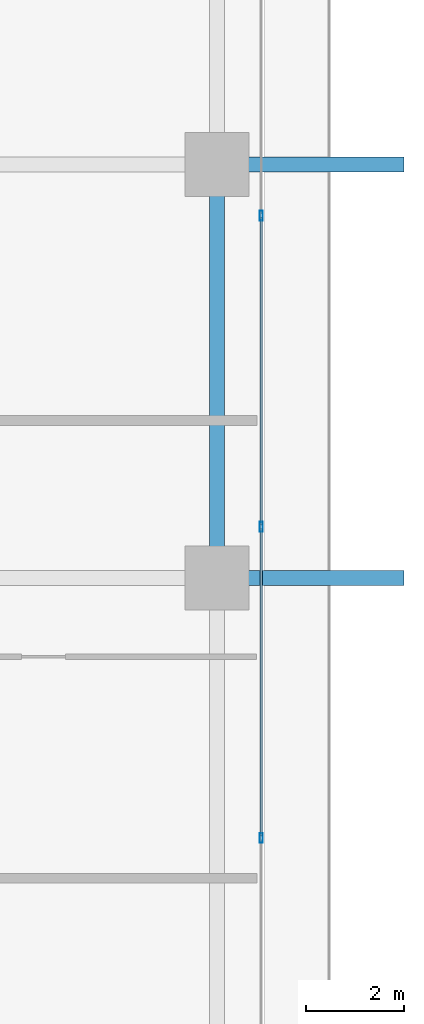
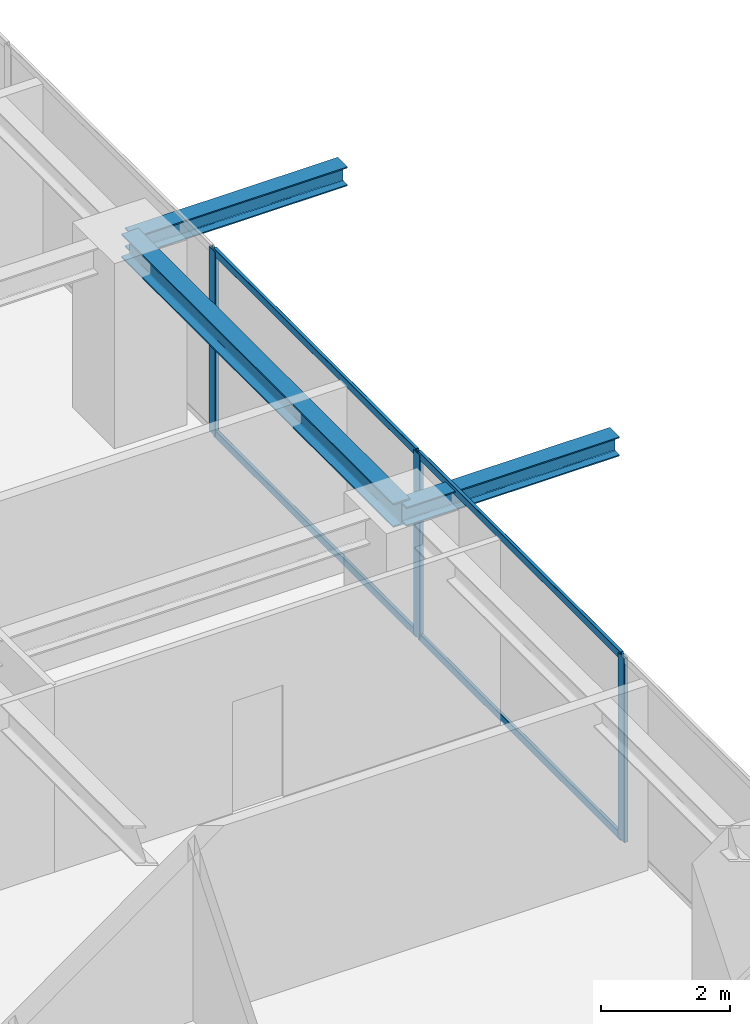
# One storey, part 14 of 35: 7 members, 3 beams, 1 element without a shape of its own.
"""IFC4 building model written with IfcOpenShell, lengths in metres."""

import ifcopenshell
import ifcopenshell.guid

model = None  # the IFC model being written
_history = None  # IfcOwnerHistory: only IFC2X3 demands one
_inside = {}  # id of a spatial element -> (the spatial element, [elements in it])
_under = {}  # id of a project, library or spatial element -> (it, [spatial elements below it])
_declared = {}  # id of a project -> (the project, [libraries it declares])
_typed = {}  # id of a type object -> (the type object, [elements of that type])
_made_of = {}  # id of a material, layer set ... -> (it, [elements and type objects made of it])


def new_model(schema):
    """Start an empty IFC model of exactly this schema.

    Asked for "IFC4X3", IfcOpenShell would pick the latest addendum, in which some entities
    have other attributes; the version numbers below select the first issue.
    IFC2X3 requires an IfcOwnerHistory on every rooted entity: one is made here for all.
    """
    global model, _history
    if schema == "IFC4X3":
        model = ifcopenshell.file(schema_version=(4, 3, 0, 0))
    else:
        model = ifcopenshell.file(schema=schema)
    _inside.clear()
    _under.clear()
    _declared.clear()
    _typed.clear()
    _made_of.clear()
    _history = None
    if model.schema == "IFC2X3":
        org = make("IfcOrganization", Name="unknown")
        user = make(
            "IfcPersonAndOrganization",
            ThePerson=make("IfcPerson", FamilyName="unknown"),
            TheOrganization=org,
        )
        app = make(
            "IfcApplication",
            ApplicationDeveloper=org,
            Version="unknown",
            ApplicationFullName="unknown",
            ApplicationIdentifier="unknown",
        )
        _history = make(
            "IfcOwnerHistory",
            OwningUser=user,
            OwningApplication=app,
            ChangeAction="ADDED",
            CreationDate=0,
        )
    return model


def make(cls, **values):
    """One entity of the class cls with the attributes given. An attribute that is None is left unset."""
    return model.create_entity(
        cls, **{name: value for name, value in values.items() if value is not None}
    )


def rooted(cls, **values):
    """An entity with a GlobalId (a new one), such as an element, a storey or a relation."""
    return make(cls, GlobalId=ifcopenshell.guid.new(), OwnerHistory=_history, **values)


def si_unit(unit_type, name, prefix=None):
    """IfcSIUnit, for example si_unit("LENGTHUNIT", "METRE", prefix="MILLI")."""
    return make("IfcSIUnit", UnitType=unit_type, Prefix=prefix, Name=name)


def assignment(units):
    """IfcUnitAssignment: the units of a project."""
    return None if units is None else make("IfcUnitAssignment", Units=units)


def point(xyz):
    """IfcCartesianPoint."""
    return None if xyz is None else make("IfcCartesianPoint", Coordinates=xyz)


def direction(xyz):
    """IfcDirection."""
    return None if xyz is None else make("IfcDirection", DirectionRatios=xyz)


def frame(location, z_axis=None, x_axis=None):
    """IfcAxis2Placement3D, a coordinate frame: its origin and axes. An axis left out is left unset."""
    return make(
        "IfcAxis2Placement3D",
        Location=point(location),
        Axis=direction(z_axis),
        RefDirection=direction(x_axis),
    )


def frame_2d(location, x_axis=None):
    """IfcAxis2Placement2D, a coordinate frame in the plane: its origin and x axis."""
    return make(
        "IfcAxis2Placement2D", Location=point(location), RefDirection=direction(x_axis)
    )


def origin():
    """The frame at (0, 0, 0) with its axes left unset."""
    return frame((0.0, 0.0, 0.0))


def origin_2d():
    """The frame at (0, 0) in the plane with its x axis left unset."""
    return frame_2d((0.0, 0.0))


def place(relative_to, where):
    """IfcLocalPlacement: puts the frame where relative to a parent placement (None: the world)."""
    return make(
        "IfcLocalPlacement", PlacementRelTo=relative_to, RelativePlacement=where
    )


def context(
    kind, dimensions, precision=None, world=None, true_north=None, identifier=None
):
    """IfcGeometricRepresentationContext, for example the 3D "Model" context."""
    return make(
        "IfcGeometricRepresentationContext",
        ContextIdentifier=identifier,
        ContextType=kind,
        CoordinateSpaceDimension=dimensions,
        Precision=precision,
        WorldCoordinateSystem=world,
        TrueNorth=true_north,
    )


def subcontext(parent, identifier, kind, view, scale=None):
    """IfcGeometricRepresentationSubContext, for example "Body" below "Model"."""
    return make(
        "IfcGeometricRepresentationSubContext",
        ContextIdentifier=identifier,
        ContextType=kind,
        ParentContext=parent,
        TargetScale=scale,
        TargetView=view,
    )


def project(units=None, contexts=None):
    """IfcProject with its units and contexts."""
    return rooted(
        "IfcProject",
        Name="project",
        RepresentationContexts=contexts,
        UnitsInContext=assignment(units),
    )


def spatial(cls, under=None, at=None, **own):
    """A site, building, storey or space (cls), placed at a placement, below another one or the project."""
    s = rooted(cls, ObjectPlacement=at, **own)
    if under is not None:
        _under.setdefault(under.id(), (under, []))[1].append(s)
    return s


def profile(cls, at=None, kind="AREA", **sizes):
    """A parametric profile (cls). Its sizes go by their IFC names, for example OverallWidth=200.0."""
    return make(cls, ProfileType=kind, Position=at, **sizes)


def hollow_rectangle(**sizes):
    """IfcRectangleHollowProfileDef."""
    return profile("IfcRectangleHollowProfileDef", **sizes)


def i_section(**sizes):
    """IfcIShapeProfileDef."""
    return profile("IfcIShapeProfileDef", **sizes)


def extrude(swept, where, along, depth):
    """IfcExtrudedAreaSolid: the profile swept, set in the frame where, extruded along a direction by depth."""
    return make(
        "IfcExtrudedAreaSolid",
        SweptArea=swept,
        Position=where,
        ExtrudedDirection=direction(along),
        Depth=depth,
    )


def shape(context_of_items, identifier, shape_type, items):
    """IfcShapeRepresentation: the items that make up one representation, for example the "Body"."""
    return make(
        "IfcShapeRepresentation",
        ContextOfItems=context_of_items,
        RepresentationIdentifier=identifier,
        RepresentationType=shape_type,
        Items=items,
    )


def source(mapping_origin, context_of_items, identifier, shape_type, items):
    """IfcRepresentationMap: a shape defined once, which mapped items show again and again."""
    return make(
        "IfcRepresentationMap",
        MappingOrigin=mapping_origin,
        MappedRepresentation=shape(context_of_items, identifier, shape_type, items),
    )


def transform(
    local_origin,
    x_axis=None,
    y_axis=None,
    z_axis=None,
    scale=None,
    scale2=None,
    scale3=None,
    uniform=True,
):
    """IfcCartesianTransformationOperator3D, or its non-uniform kind. x_axis, y_axis, z_axis: its Axis1, 2, 3."""
    if uniform:
        return make(
            "IfcCartesianTransformationOperator3D",
            Axis1=direction(x_axis),
            Axis2=direction(y_axis),
            LocalOrigin=point(local_origin),
            Scale=scale,
            Axis3=direction(z_axis),
        )
    return make(
        "IfcCartesianTransformationOperator3DnonUniform",
        Axis1=direction(x_axis),
        Axis2=direction(y_axis),
        LocalOrigin=point(local_origin),
        Scale=scale,
        Axis3=direction(z_axis),
        Scale2=scale2,
        Scale3=scale3,
    )


def mapped(mapping_source, mapping_target):
    """IfcMappedItem: shows the shape of a source again, moved by a transform."""
    return make(
        "IfcMappedItem", MappingSource=mapping_source, MappingTarget=mapping_target
    )


def material(Name=None, Category=None):
    """IfcMaterial."""
    return make("IfcMaterial", Name=Name, Category=Category)


def layer(
    of_material, thickness, ventilated=None, Name=None, Category=None, Priority=None
):
    """IfcMaterialLayer: one layer of a wall or slab, of a material (None: an air gap)."""
    return make(
        "IfcMaterialLayer",
        Material=of_material,
        LayerThickness=thickness,
        IsVentilated=ventilated,
        Name=Name,
        Category=Category,
        Priority=Priority,
    )


def layer_set(layers, Name=None):
    """IfcMaterialLayerSet."""
    return make("IfcMaterialLayerSet", MaterialLayers=layers, LayerSetName=Name)


def material_profile(
    of_material, cross_section, Name=None, Category=None, Priority=None
):
    """IfcMaterialProfile: a cross section and its material."""
    return make(
        "IfcMaterialProfile",
        Name=Name,
        Material=of_material,
        Profile=cross_section,
        Priority=Priority,
        Category=Category,
    )


def profile_set(profiles, Name=None, composite=None):
    """IfcMaterialProfileSet."""
    return make(
        "IfcMaterialProfileSet",
        Name=Name,
        MaterialProfiles=profiles,
        CompositeProfile=composite,
    )


def made_of(thing, what):
    """Note that an element or type object is made of a material, layer set ...; save() writes the relation."""
    if what is not None:
        _made_of.setdefault(what.id(), (what, []))[1].append(thing)
    return thing


def type_object(cls, material=None, **own):
    """A type object (cls), such as IfcWallType, which elements share."""
    return made_of(rooted(cls, **own), material)


def element(
    cls,
    number,
    at=None,
    inside=None,
    cuts=None,
    type_object=None,
    material=None,
    context=None,
    identifier="Body",
    shape_type=None,
    held_by="IfcProductDefinitionShape",
    body=None,
    shapes=None,
    **own,
):
    """One element of the class cls, such as IfcWall. Its Tag is "e" and its number.

    at: its placement. inside: the storey or other place that contains it. cuts: it is an
    opening in that element (IfcRelVoidsElement). A single representation is given by context,
    identifier, shape_type and body (its items); several are given by shapes. held_by: the class
    of the entity that holds the representations. save() writes the other relations.
    """
    e = rooted(cls, Tag="e%d" % number, ObjectPlacement=at, **own)
    if body is not None:
        shapes = [shape(context, identifier, shape_type, body)]
    if shapes is not None:
        e.Representation = make(held_by, Representations=shapes)
    if inside is not None:
        _inside.setdefault(inside.id(), (inside, []))[1].append(e)
    if cuts is not None:
        rooted(
            "IfcRelVoidsElement", RelatingBuildingElement=cuts, RelatedOpeningElement=e
        )
    if type_object is not None:
        _typed.setdefault(type_object.id(), (type_object, []))[1].append(e)
    return made_of(e, material)


def aggregate(whole, parts):
    """IfcRelAggregates: a whole, such as a stair, and the parts it consists of."""
    return rooted("IfcRelAggregates", RelatingObject=whole, RelatedObjects=parts)


def save(model, path):
    """Write the relations noted so far, then the file.

    IfcRelAggregates (storeys below a building ...), IfcRelContainedInSpatialStructure (elements
    in a storey), IfcRelDefinesByType, IfcRelAssociatesMaterial and IfcRelDeclares: one each for
    every whole, place, type object, material and project.
    """
    for whole, parts in _under.values():
        aggregate(whole, parts)
    for where, things in _inside.values():
        rooted(
            "IfcRelContainedInSpatialStructure",
            RelatedElements=things,
            RelatingStructure=where,
        )
    for kind, things in _typed.values():
        rooted("IfcRelDefinesByType", RelatedObjects=things, RelatingType=kind)
    for what, things in _made_of.values():
        rooted("IfcRelAssociatesMaterial", RelatedObjects=things, RelatingMaterial=what)
    for by, libraries in _declared.values():
        rooted("IfcRelDeclares", RelatingContext=by, RelatedDefinitions=libraries)
    model.write(path)


model = new_model("IFC4")

# Units and contexts
model_context = context("Model", 3, precision=1e-05, world=origin(), true_north=direction((0.0, 1.0)))
body_context = subcontext(model_context, "Body", "Model", "MODEL_VIEW")
ifc_project = project(units=[si_unit("LENGTHUNIT", "METRE"), si_unit("AREAUNIT", "SQUARE_METRE"), si_unit("VOLUMEUNIT", "CUBIC_METRE"), si_unit("PLANEANGLEUNIT", "RADIAN"), si_unit("MASSUNIT", "GRAM", prefix="KILO")], contexts=[model_context])

# Site, building, storey
site_placement = place(None, origin())
site = spatial("IfcSite", under=ifc_project, at=site_placement, CompositionType="ELEMENT")
building_placement = place(site_placement, origin())
building = spatial("IfcBuilding", under=site, at=building_placement, Name="Serunith Strait Residences", CompositionType="ELEMENT")
storey_placement = place(building_placement, frame((0.0, 0.0, 157.64990234375)))
storey = spatial("IfcBuildingStorey", under=building, at=storey_placement, Name="L39", CompositionType="ELEMENT", Elevation=157.64990234375)

# Beams
ifc_material_1 = material(Name="Steel S355J2", Category="steel")
ifc_material_profile_1 = material_profile(ifc_material_1, i_section(OverallWidth=0.300048828125, OverallDepth=0.449951171875, WebThickness=0.013916015625, FlangeThickness=0.02587890625, FilletRadius=0.027099609375, at=origin_2d()), Name="HEB 450")
ifc_profile_set_1 = profile_set([ifc_material_profile_1], Name="Steel S355J2")
beam_type_1 = type_object("IfcBeamType", Name="BM-HEB450", PredefinedType="BEAM", material=ifc_profile_set_1)
shared_shape_1 = source(origin(), body_context, "Body", "SweptSolid", [
    extrude(i_section(OverallWidth=0.300048828125, OverallDepth=0.449951171875, WebThickness=0.013916015625, FlangeThickness=0.02587890625, FilletRadius=0.027099609375, at=origin_2d()), origin(), (0.0, 0.0, 1.0), 8.39990234375),
])
beam_placement = place(storey_placement, frame((56.10009765625, 21.0, 3.26220703125), z_axis=(0.0, 1.0, 0.0), x_axis=(-1.0, 0.0, 0.0)))
element("IfcBeam", 1, at=beam_placement, inside=storey, type_object=beam_type_1, Name="L39 Perimeter Ring Beam 06", PredefinedType="BEAM", context=body_context, shape_type="MappedRepresentation", body=[
    mapped(shared_shape_1, transform((0.0, 0.0, 0.0), scale=1.0)),
])
ifc_material_profile_2 = material_profile(ifc_material_1, i_section(OverallWidth=0.300048828125, OverallDepth=0.360107421875, WebThickness=0.012451171875, FlangeThickness=0.0224609375, FilletRadius=0.027099609375, at=origin_2d()), Name="HEB 360")
ifc_profile_set_2 = profile_set([ifc_material_profile_2], Name="Steel S355J2")
beam_type_2 = type_object("IfcBeamType", Name="BM-HEB360", PredefinedType="BEAM", material=ifc_profile_set_2)
shared_shape_2 = source(origin(), body_context, "Body", "SweptSolid", [
    extrude(i_section(OverallWidth=0.300048828125, OverallDepth=0.360107421875, WebThickness=0.012451171875, FlangeThickness=0.0224609375, FilletRadius=0.027099609375, at=origin_2d()), origin(), (0.0, 0.0, 1.0), 3.7998046875),
])
for number, where, z_axis, x_axis, name in (
    (2, (56.10009765625, 21.0, 3.277099609375), (1.0, 0.0, 0.0), (0.0, 1.0, 0.0), "L40 Cantilevered Balcony Rib TC-E2"),
    (3, (56.10009765625, 29.39990234375, 3.277099609375), (1.0, 0.0, 0.0), (0.0, 1.0, 0.0), "L40 Cantilevered Balcony Rib TC-E3"),
):
    element("IfcBeam", number, at=place(storey_placement, frame(where, z_axis=z_axis, x_axis=x_axis)), inside=storey, type_object=beam_type_2, Name=name, PredefinedType="BEAM", context=body_context, shape_type="MappedRepresentation", body=[
        mapped(shared_shape_2, transform((0.0, 0.0, 0.0), scale=1.0)),
    ])

# Curtain wall, members
ifc_material_2 = material(Name="Pale-Champagne Anodised Aluminium", Category="aluminium")
ifc_layer = layer(ifc_material_2, 0.199951171875, Name="Pale-Champagne Anodised Aluminium")
ifc_layer_set = layer_set([ifc_layer], Name="Pale-Champagne Anodised Aluminium")
curtain_wall_type = type_object("IfcCurtainWallType", Name="CW-SYS2", PredefinedType="NOTDEFINED", material=ifc_layer_set)
curtain_wall_placement = place(storey_placement, origin())
curtain_wall = element("IfcCurtainWall", 4, at=curtain_wall_placement, inside=storey, type_object=curtain_wall_type, Name="L39 E Unitised Fritted Curtain Wall", PredefinedType="NOTDEFINED")
ifc_material_profile_3 = material_profile(ifc_material_2, hollow_rectangle(XDim=0.070068359375, YDim=0.199951171875, WallThickness=0.00390625, InnerFilletRadius=0.006103515625, OuterFilletRadius=0.010009765625, at=origin_2d()), Name="ALU 200x70x4")
ifc_profile_set_3 = profile_set([ifc_material_profile_3], Name="Pale-Champagne Anodised Aluminium")
member_type_1 = type_object("IfcMemberType", Name="CW-SYS2-MULL", PredefinedType="MULLION", material=ifc_profile_set_3)
shared_shape_3 = source(origin(), body_context, "Body", "SweptSolid", [
    extrude(hollow_rectangle(XDim=0.070068359375, YDim=0.199951171875, WallThickness=0.00390625, InnerFilletRadius=0.006103515625, OuterFilletRadius=0.010009765625, at=origin_2d()), origin(), (0.0, 0.0, 1.0), 3.47509765625),
])
member_1_placement = place(storey_placement, frame((57.0, 15.719970703125, 0.0), z_axis=(0.0, 0.0, 1.0), x_axis=(-1.0, 0.0, 0.0)))
member_1 = element("IfcMember", 5, at=member_1_placement, type_object=member_type_1, Name="CW-2 mullion 2", PredefinedType="MULLION", context=body_context, shape_type="MappedRepresentation", body=[
    mapped(shared_shape_3, transform((0.0, 0.0, 0.0), scale=1.0)),
])
member_2_placement = place(storey_placement, frame((57.0, 22.0400390625, 0.0), z_axis=(0.0, 0.0, 1.0), x_axis=(-1.0, 0.0, 0.0)))
member_2 = element("IfcMember", 6, at=member_2_placement, type_object=member_type_1, Name="CW-2 mullion 3", PredefinedType="MULLION", context=body_context, shape_type="MappedRepresentation", body=[
    mapped(shared_shape_3, transform((0.0, 0.0, 0.0), scale=1.0)),
])
member_3_placement = place(storey_placement, frame((57.0, 28.360107421875, 0.0), z_axis=(0.0, 0.0, 1.0), x_axis=(-1.0, 0.0, 0.0)))
member_3 = element("IfcMember", 7, at=member_3_placement, type_object=member_type_1, Name="CW-2 mullion 4", PredefinedType="MULLION", context=body_context, shape_type="MappedRepresentation", body=[
    mapped(shared_shape_3, transform((0.0, 0.0, 0.0), scale=1.0)),
])
ifc_material_profile_4 = material_profile(ifc_material_2, hollow_rectangle(XDim=0.06005859375, YDim=0.139892578125, WallThickness=0.00341796875, InnerFilletRadius=0.00537109375, OuterFilletRadius=0.0087890625, at=origin_2d()), Name="ALU 140x60x3.5")
ifc_profile_set_4 = profile_set([ifc_material_profile_4], Name="Pale-Champagne Anodised Aluminium")
member_type_2 = type_object("IfcMemberType", Name="CW-SYS2-TRAN", PredefinedType="USERDEFINED", material=ifc_profile_set_4)
shared_shape_4 = source(origin(), body_context, "Body", "SweptSolid", [
    extrude(hollow_rectangle(XDim=0.06005859375, YDim=0.139892578125, WallThickness=0.00341796875, InnerFilletRadius=0.00537109375, OuterFilletRadius=0.0087890625, at=origin_2d()), origin(), (0.0, 0.0, 1.0), 6.25),
])
member_4_placement = place(storey_placement, frame((57.0, 15.7548828125, 0.030029296875), z_axis=(0.0, 1.0, 0.0), x_axis=(-1.0, 0.0, 0.0)))
member_4 = element("IfcMember", 8, at=member_4_placement, type_object=member_type_2, Name="CW-2 transom 2.1", ObjectType="TRANSOM", PredefinedType="USERDEFINED", context=body_context, shape_type="MappedRepresentation", body=[
    mapped(shared_shape_4, transform((0.0, 0.0, 0.0), scale=1.0)),
])
member_5_placement = place(storey_placement, frame((57.0, 15.7548828125, 3.445068359375), z_axis=(0.0, 1.0, 0.0), x_axis=(-1.0, 0.0, 0.0)))
member_5 = element("IfcMember", 9, at=member_5_placement, type_object=member_type_2, Name="CW-2 transom 2.2", ObjectType="TRANSOM", PredefinedType="USERDEFINED", context=body_context, shape_type="MappedRepresentation", body=[
    mapped(shared_shape_4, transform((0.0, 0.0, 0.0), scale=1.0)),
])
member_6_placement = place(storey_placement, frame((57.0, 22.074951171875, 0.030029296875), z_axis=(0.0, 1.0, 0.0), x_axis=(-1.0, 0.0, 0.0)))
member_6 = element("IfcMember", 10, at=member_6_placement, type_object=member_type_2, Name="CW-2 transom 3.1", ObjectType="TRANSOM", PredefinedType="USERDEFINED", context=body_context, shape_type="MappedRepresentation", body=[
    mapped(shared_shape_4, transform((0.0, 0.0, 0.0), scale=1.0)),
])
member_7_placement = place(storey_placement, frame((57.0, 22.074951171875, 3.445068359375), z_axis=(0.0, 1.0, 0.0), x_axis=(-1.0, 0.0, 0.0)))
member_7 = element("IfcMember", 11, at=member_7_placement, type_object=member_type_2, Name="CW-2 transom 3.2", ObjectType="TRANSOM", PredefinedType="USERDEFINED", context=body_context, shape_type="MappedRepresentation", body=[
    mapped(shared_shape_4, transform((0.0, 0.0, 0.0), scale=1.0)),
])
aggregate(curtain_wall, [member_1, member_2, member_3, member_4, member_5, member_6, member_7])

save(model, "model.ifc")
